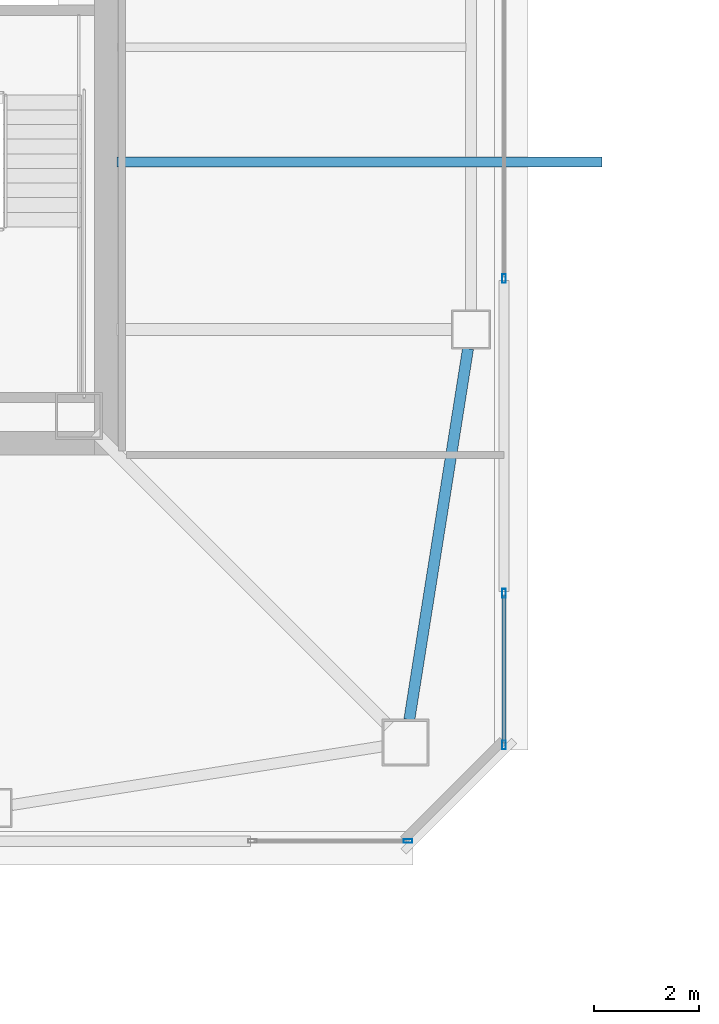
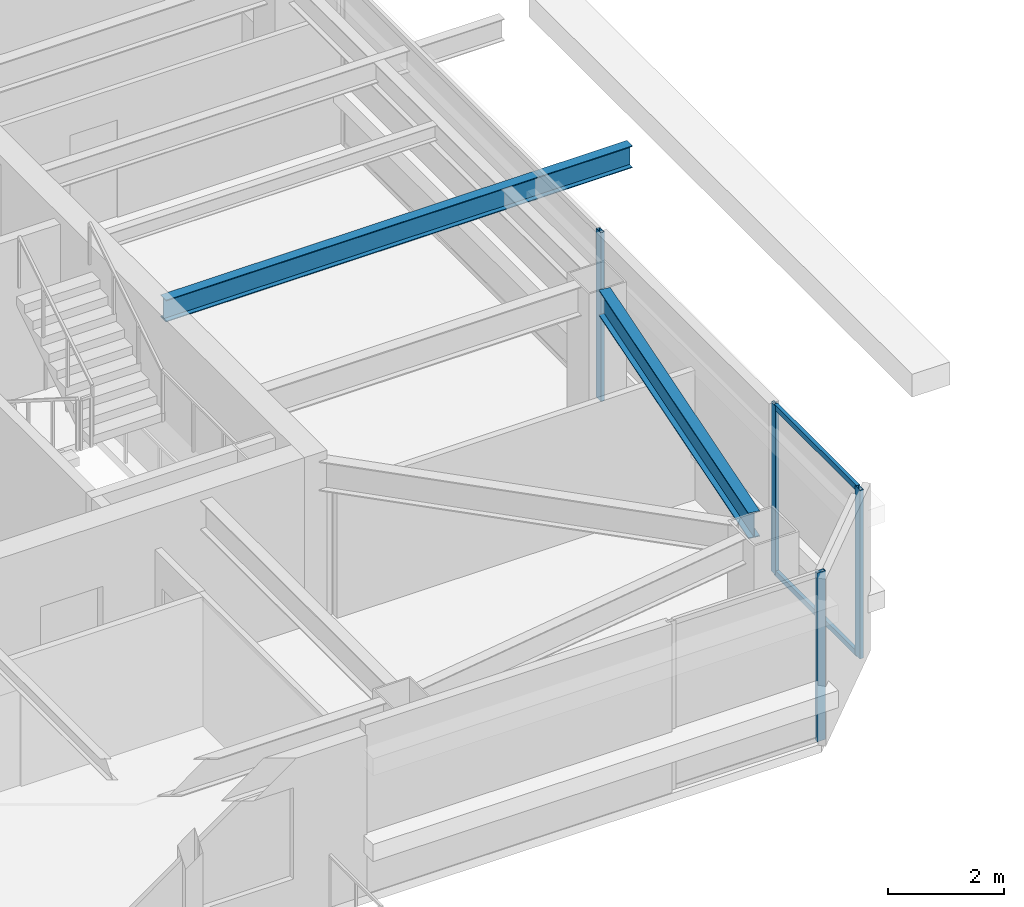
# One storey, part 7 of 31: 6 members, 2 beams, 3 elements without a shape of their own.
"""IFC4 building model written with IfcOpenShell, lengths in metres."""

from ifc_helpers import new_model, si_unit, direction, frame, origin, origin_2d, place, context, subcontext, project, spatial, hollow_rectangle, i_section, extrude, material, material_profile, profile_set, type_object, element, aggregate, save


model = new_model("IFC4")

# Units and contexts
model_context = context("Model", 3, precision=1e-05, world=origin(), true_north=direction((0.0, 1.0)))
body_context = subcontext(model_context, "Body", "Model", "MODEL_VIEW")
ifc_project = project(units=[si_unit("LENGTHUNIT", "METRE"), si_unit("AREAUNIT", "SQUARE_METRE"), si_unit("VOLUMEUNIT", "CUBIC_METRE"), si_unit("PLANEANGLEUNIT", "RADIAN"), si_unit("MASSUNIT", "GRAM", prefix="KILO")], contexts=[model_context])

# Site, building, storey
site_placement = place(None, origin())
site = spatial("IfcSite", under=ifc_project, at=site_placement, CompositionType="ELEMENT")
building_placement = place(site_placement, origin())
building = spatial("IfcBuilding", under=site, at=building_placement, Name="Tashvorn Skyway Center", CompositionType="ELEMENT")
storey_placement = place(building_placement, frame((0.0, 0.0, 266.949951171875)))
storey = spatial("IfcBuildingStorey", under=building, at=storey_placement, Name="L72", CompositionType="ELEMENT", Elevation=266.949951171875)

# Beams
ifc_material_1 = material(Name="Steel ASTM A992 Grade 50", Category="steel")
ifc_material_profile_1 = material_profile(ifc_material_1, i_section(OverallWidth=0.19091796875, OverallDepth=0.4599609375, WebThickness=0.010009765625, FlangeThickness=0.01611328125, at=origin_2d()), Name="W18X55")
ifc_profile_set_1 = profile_set([ifc_material_profile_1], Name="Steel ASTM A992 Grade 50")
beam_type_1 = type_object("IfcBeamType", Name="BM-JOIST-W18X55", PredefinedType="JOIST", material=ifc_profile_set_1)
beam_1_placement = place(storey_placement, frame((49.780029296875, 29.800048828125, 3.14013671875), z_axis=(1.0, 0.0, 0.0), x_axis=(0.0, 1.0, 0.0)))
element("IfcBeam", 1, at=beam_1_placement, inside=storey, type_object=beam_type_1, Name="Tower 1 L73 Terrace Cantilever Outlooker 1", PredefinedType="JOIST", context=body_context, shape_type="SweptSolid", body=[
    extrude(i_section(OverallWidth=0.19091796875, OverallDepth=0.4599609375, WebThickness=0.010009765625, FlangeThickness=0.01611328125, at=origin_2d()), origin(), (0.0, 0.0, 1.0), 9.27001953125),
])
ifc_material_profile_2 = material_profile(ifc_material_1, i_section(OverallWidth=0.2109375, OverallDepth=0.5390625, WebThickness=0.01171875, FlangeThickness=0.018798828125, at=origin_2d()), Name="W21X73")
ifc_profile_set_2 = profile_set([ifc_material_profile_2], Name="Steel ASTM A992 Grade 50")
beam_type_2 = type_object("IfcBeamType", Name="BM-SPANDREL-W21X73", PredefinedType="SPANDREL", material=ifc_profile_set_2)
beam_2_placement = place(storey_placement, frame((55.36962890625, 19.1396484375, 3.1005859375), z_axis=(0.156274976, 0.987713587978, 0.0), x_axis=(-0.987713587978, 0.156274976, 0.0)))
element("IfcBeam", 2, at=beam_2_placement, inside=storey, type_object=beam_type_2, Name="Tower 1 L72 Spandrel Beam 04", PredefinedType="SPANDREL", context=body_context, shape_type="SweptSolid", body=[
    extrude(i_section(OverallWidth=0.2109375, OverallDepth=0.5390625, WebThickness=0.01171875, FlangeThickness=0.018798828125, at=origin_2d()), origin(), (0.0, 0.0, 1.0), 7.18310546875),
])

# Curtain wall, member
ifc_material_2 = material(Name="Thermally broken bronze-anodized aluminium 6063-T6", Category="aluminium")
curtain_wall_type = type_object("IfcCurtainWallType", Name="CW-CW-Z5", PredefinedType="NOTDEFINED", material=ifc_material_2)
curtain_wall_1_placement = place(storey_placement, origin())
curtain_wall_1 = element("IfcCurtainWall", 3, at=curtain_wall_1_placement, inside=storey, type_object=curtain_wall_type, Name="Tower 1 L72 South Curtain Wall L Glazing Group 1", PredefinedType="NOTDEFINED")
ifc_material_profile_3 = material_profile(ifc_material_2, hollow_rectangle(XDim=0.070068359375, YDim=0.1650390625, WallThickness=0.00390625, at=origin_2d()), Name="ALU-MULL-70x165")
ifc_profile_set_3 = profile_set([ifc_material_profile_3], Name="Thermally broken bronze-anodized aluminium 6063-T6")
member_type_1 = type_object("IfcMemberType", Name="CWM-CW-Z5", PredefinedType="MULLION", material=ifc_profile_set_3)
member_1_placement = place(storey_placement, frame((55.344970703125, 16.820068359375, 0.0), z_axis=(0.0, 0.0, 1.0), x_axis=(0.0, -1.0, 0.0)))
member_1 = element("IfcMember", 4, at=member_1_placement, type_object=member_type_1, Name="CW-Z5 mullion 1", PredefinedType="MULLION", context=body_context, shape_type="SweptSolid", body=[
    extrude(hollow_rectangle(XDim=0.070068359375, YDim=0.1650390625, WallThickness=0.00390625, at=origin_2d()), origin(), (0.0, 0.0, 1.0), 3.550048828125),
])
aggregate(curtain_wall_1, [member_1])

curtain_wall_2_placement = place(storey_placement, origin())
curtain_wall_2 = element("IfcCurtainWall", 5, at=curtain_wall_2_placement, inside=storey, type_object=curtain_wall_type, Name="Tower 1 L72 East Unitised Curtain Wall Glazing Group 2", PredefinedType="NOTDEFINED")
member_2_placement = place(storey_placement, frame((57.179931640625, 27.574951171875, 0.0), z_axis=(0.0, 0.0, 1.0), x_axis=(1.0, 0.0, 0.0)))
member_2 = element("IfcMember", 6, at=member_2_placement, type_object=member_type_1, Name="CW-Z5 mullion 2", PredefinedType="MULLION", context=body_context, shape_type="SweptSolid", body=[
    extrude(hollow_rectangle(XDim=0.070068359375, YDim=0.1650390625, WallThickness=0.00390625, at=origin_2d()), origin(), (0.0, 0.0, 1.0), 3.550048828125),
])
aggregate(curtain_wall_2, [member_2])

# Curtain wall, members
curtain_wall_3_placement = place(storey_placement, origin())
curtain_wall_3 = element("IfcCurtainWall", 7, at=curtain_wall_3_placement, inside=storey, type_object=curtain_wall_type, Name="Tower 1 L72 East Unitised Curtain Wall Glazing Group 3", PredefinedType="NOTDEFINED")
member_3_placement = place(storey_placement, frame((57.179931640625, 21.558349609375, 0.0), z_axis=(0.0, 0.0, 1.0), x_axis=(1.0, 0.0, 0.0)))
member_3 = element("IfcMember", 8, at=member_3_placement, type_object=member_type_1, Name="CW-Z5 mullion 1", PredefinedType="MULLION", context=body_context, shape_type="SweptSolid", body=[
    extrude(hollow_rectangle(XDim=0.070068359375, YDim=0.1650390625, WallThickness=0.00390625, at=origin_2d()), origin(), (0.0, 0.0, 1.0), 3.550048828125),
])
member_4_placement = place(storey_placement, frame((57.179931640625, 18.655029296875, 0.0), z_axis=(0.0, 0.0, 1.0), x_axis=(1.0, 0.0, 0.0)))
member_4 = element("IfcMember", 9, at=member_4_placement, type_object=member_type_1, Name="CW-Z5 mullion 2", PredefinedType="MULLION", context=body_context, shape_type="SweptSolid", body=[
    extrude(hollow_rectangle(XDim=0.070068359375, YDim=0.1650390625, WallThickness=0.00390625, at=origin_2d()), origin(), (0.0, 0.0, 1.0), 3.550048828125),
])
ifc_material_profile_4 = material_profile(ifc_material_2, hollow_rectangle(XDim=0.070068359375, YDim=0.114990234375, WallThickness=0.00390625, at=origin_2d()), Name="ALU-TRAN-70x115")
ifc_profile_set_4 = profile_set([ifc_material_profile_4], Name="Thermally broken bronze-anodized aluminium 6063-T6")
member_type_2 = type_object("IfcMemberType", Name="CWT-CW-Z5", PredefinedType="USERDEFINED", material=ifc_profile_set_4)
member_5_placement = place(storey_placement, frame((57.179931640625, 21.523193359375, 0.03515625), z_axis=(0.0, -1.0, 0.0), x_axis=(1.0, 0.0, 0.0)))
member_5 = element("IfcMember", 10, at=member_5_placement, type_object=member_type_2, Name="CW-Z5 transom 1.1", ObjectType="TRANSOM", PredefinedType="USERDEFINED", context=body_context, shape_type="SweptSolid", body=[
    extrude(hollow_rectangle(XDim=0.070068359375, YDim=0.114990234375, WallThickness=0.00390625, at=origin_2d()), origin(), (0.0, 0.0, 1.0), 2.833251953125),
])
member_6_placement = place(storey_placement, frame((57.179931640625, 21.523193359375, 3.51513671875), z_axis=(0.0, -1.0, 0.0), x_axis=(1.0, 0.0, 0.0)))
member_6 = element("IfcMember", 11, at=member_6_placement, type_object=member_type_2, Name="CW-Z5 transom 1.2", ObjectType="TRANSOM", PredefinedType="USERDEFINED", context=body_context, shape_type="SweptSolid", body=[
    extrude(hollow_rectangle(XDim=0.070068359375, YDim=0.114990234375, WallThickness=0.00390625, at=origin_2d()), origin(), (0.0, 0.0, 1.0), 2.833251953125),
])
aggregate(curtain_wall_3, [member_3, member_4, member_5, member_6])

save(model, "model.ifc")
